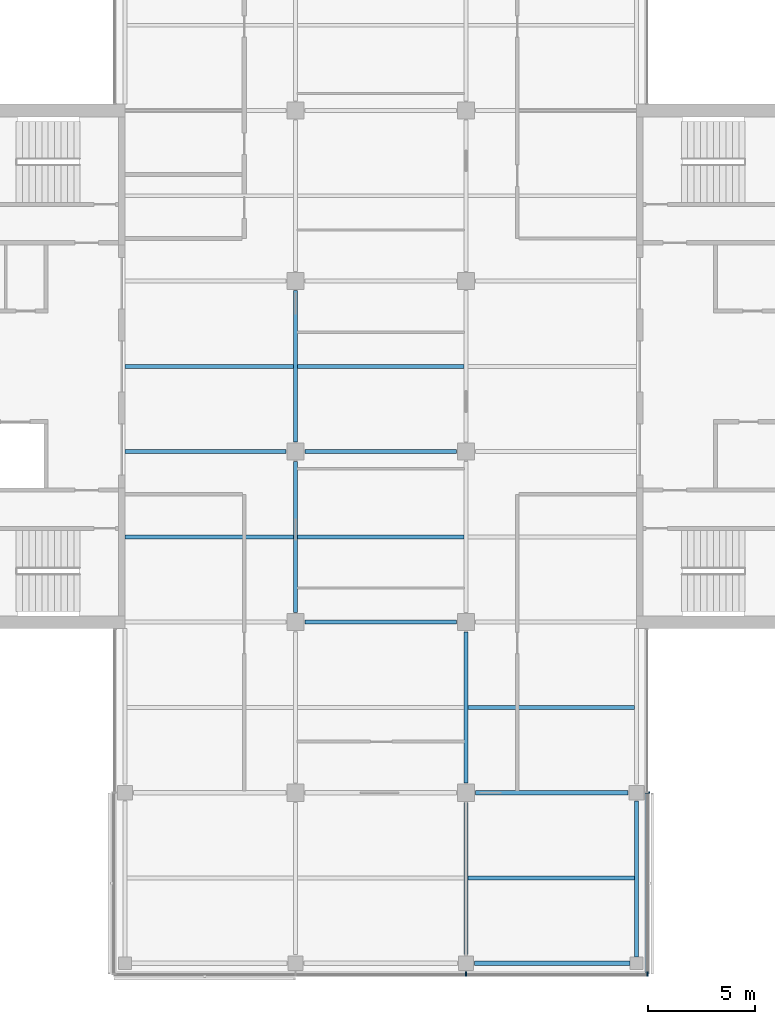
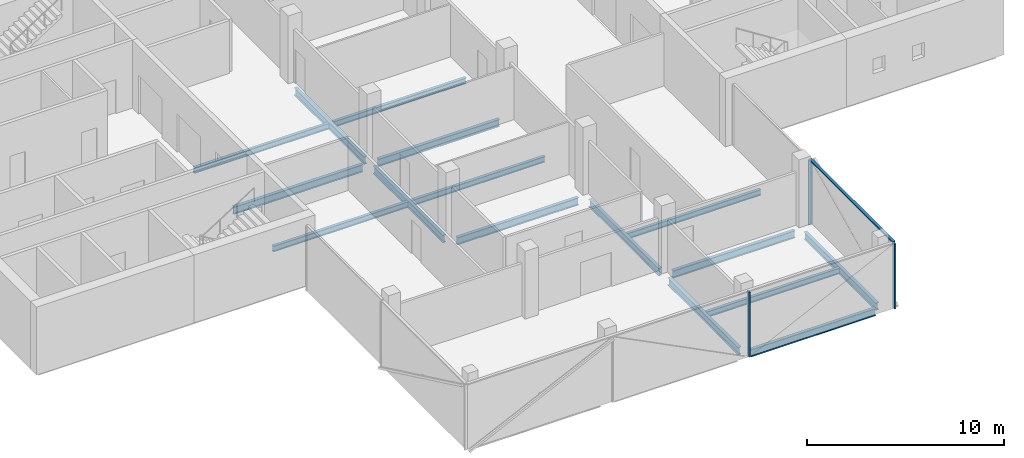
# One storey, part 3 of 15: 16 beams, 4 members, 2 elements without a shape of their own.
"""IFC4 building model written with IfcOpenShell, lengths in metres."""

from ifc_helpers import new_model, si_unit, direction, frame, origin, origin_2d, place, context, subcontext, project, spatial, rectangle, i_section, extrude, material, material_profile, profile_set, type_object, element, aggregate, save


model = new_model("IFC4")

# Units and contexts
model_context = context("Model", 3, precision=1e-05, world=origin(), true_north=direction((0.0, 1.0)))
body_context = subcontext(model_context, "Body", "Model", "MODEL_VIEW")
ifc_project = project(units=[si_unit("LENGTHUNIT", "METRE"), si_unit("AREAUNIT", "SQUARE_METRE"), si_unit("VOLUMEUNIT", "CUBIC_METRE"), si_unit("PLANEANGLEUNIT", "RADIAN"), si_unit("MASSUNIT", "GRAM", prefix="KILO")], contexts=[model_context])

# Site, building, storey
site_placement = place(None, origin())
site = spatial("IfcSite", under=ifc_project, at=site_placement, CompositionType="ELEMENT")
building_placement = place(site_placement, origin())
building = spatial("IfcBuilding", under=site, at=building_placement, Name="Crosswind Convention Tower", CompositionType="ELEMENT")
storey_placement = place(building_placement, frame((0.0, 0.0, 233.5)))
storey = spatial("IfcBuildingStorey", under=building, at=storey_placement, Name="L50", CompositionType="ELEMENT", Elevation=233.5)

# Beams
ifc_material_1 = material(Name="Steel S355", Category="steel")
ifc_material_profile_1 = material_profile(ifc_material_1, i_section(OverallWidth=0.18994140625, OverallDepth=0.45361328125, WebThickness=0.008544921875, FlangeThickness=0.0126953125, FilletRadius=0.01025390625, at=origin_2d()), Name="UB 457x191x67")
ifc_profile_set_1 = profile_set([ifc_material_profile_1], Name="Steel S355")
beam_type_1 = type_object("IfcBeamType", Name="Edge beam UB 457x191x67", PredefinedType="SPANDREL", material=ifc_profile_set_1)
for number, where, z_axis, x_axis, name in (
    (1, (129.39990234375, 72.0, -0.52685546875), (1.0, 0.0, 0.0), (0.0, 1.0, 0.0), "B16 L50 edge beam 9"),
    (2, (137.0, 72.300048828125, -0.52685546875), (0.0, 1.0, 0.0), (-1.0, 0.0, 0.0), "B16 L50 edge beam 11"),
):
    element("IfcBeam", number, at=place(storey_placement, frame(where, z_axis=z_axis, x_axis=x_axis)), inside=storey, type_object=beam_type_1, Name=name, PredefinedType="SPANDREL", context=body_context, shape_type="SweptSolid", body=[
        extrude(i_section(OverallWidth=0.18994140625, OverallDepth=0.45361328125, WebThickness=0.008544921875, FlangeThickness=0.0126953125, FilletRadius=0.01025390625, at=origin_2d()), origin(), (0.0, 0.0, 1.0), 7.300048828125),
    ])
ifc_material_profile_2 = material_profile(ifc_material_1, i_section(OverallWidth=0.1904296875, OverallDepth=0.457275390625, WebThickness=0.009033203125, FlangeThickness=0.014404296875, FilletRadius=0.01025390625, at=origin_2d()), Name="UB 457x191x75")
ifc_profile_set_2 = profile_set([ifc_material_profile_2], Name="Steel S355")
beam_type_2 = type_object("IfcBeamType", Name="Girder UB 457x191x75", PredefinedType="BEAM", material=ifc_profile_set_2)
for number, where, z_axis, x_axis, name in (
    (3, (121.0, 88.449951171875, -0.528564453125), (0.0, 1.0, 0.0), (-1.0, 0.0, 0.0), "B2 L50 girder 5"),
    (4, (121.0, 96.449951171875, -0.528564453125), (0.0, 1.0, 0.0), (-1.0, 0.0, 0.0), "B2 L50 girder 6"),
    (5, (121.449951171875, 88.0, -0.528564453125), (1.0, 0.0, 0.0), (0.0, 1.0, 0.0), "B2 L50 girder 11"),
    (6, (121.449951171875, 96.0, -0.528564453125), (1.0, 0.0, 0.0), (0.0, 1.0, 0.0), "B2 L50 girder 12"),
):
    element("IfcBeam", number, at=place(storey_placement, frame(where, z_axis=z_axis, x_axis=x_axis)), inside=storey, type_object=beam_type_2, Name=name, PredefinedType="BEAM", context=body_context, shape_type="SweptSolid", body=[
        extrude(i_section(OverallWidth=0.1904296875, OverallDepth=0.457275390625, WebThickness=0.009033203125, FlangeThickness=0.014404296875, FilletRadius=0.01025390625, at=origin_2d()), origin(), (0.0, 0.0, 1.0), 7.10009765625),
    ])
beam_1_placement = place(storey_placement, frame((129.0, 72.39990234375, -0.528564453125), z_axis=(0.0, 1.0, 0.0), x_axis=(-1.0, 0.0, 0.0)))
element("IfcBeam", 7, at=beam_1_placement, inside=storey, type_object=beam_type_2, Name="B2 L50 girder 16", PredefinedType="BEAM", context=body_context, shape_type="SweptSolid", body=[
    extrude(i_section(OverallWidth=0.1904296875, OverallDepth=0.457275390625, WebThickness=0.009033203125, FlangeThickness=0.014404296875, FilletRadius=0.01025390625, at=origin_2d()), origin(), (0.0, 0.0, 1.0), 7.150146484375),
])
beam_2_placement = place(storey_placement, frame((129.0, 80.449951171875, -0.528564453125), z_axis=(0.0, 1.0, 0.0), x_axis=(-1.0, 0.0, 0.0)))
element("IfcBeam", 8, at=beam_2_placement, inside=storey, type_object=beam_type_2, Name="B2 L50 girder 17", PredefinedType="BEAM", context=body_context, shape_type="SweptSolid", body=[
    extrude(i_section(OverallWidth=0.1904296875, OverallDepth=0.457275390625, WebThickness=0.009033203125, FlangeThickness=0.014404296875, FilletRadius=0.01025390625, at=origin_2d()), origin(), (0.0, 0.0, 1.0), 7.10009765625),
])
beam_3_placement = place(storey_placement, frame((129.449951171875, 80.0, -0.528564453125), z_axis=(1.0, 0.0, 0.0), x_axis=(0.0, 1.0, 0.0)))
element("IfcBeam", 9, at=beam_3_placement, inside=storey, type_object=beam_type_2, Name="B2 L50 girder 23", PredefinedType="BEAM", context=body_context, shape_type="SweptSolid", body=[
    extrude(i_section(OverallWidth=0.1904296875, OverallDepth=0.457275390625, WebThickness=0.009033203125, FlangeThickness=0.014404296875, FilletRadius=0.01025390625, at=origin_2d()), origin(), (0.0, 0.0, 1.0), 7.150146484375),
])
ifc_material_profile_3 = material_profile(ifc_material_1, i_section(OverallWidth=0.19140625, OverallDepth=0.460205078125, WebThickness=0.010009765625, FlangeThickness=0.01611328125, FilletRadius=0.01025390625, at=origin_2d()), Name="UB 457x191x82")
ifc_profile_set_3 = profile_set([ifc_material_profile_3], Name="Steel S355")
beam_type_3 = type_object("IfcBeamType", Name="Girder at core wall UB 457x191x82", PredefinedType="BEAM", material=ifc_profile_set_3)
beam_4_placement = place(storey_placement, frame((113.0, 96.0, -0.530029296875), z_axis=(1.0, 0.0, 0.0), x_axis=(0.0, 1.0, 0.0)))
element("IfcBeam", 10, at=beam_4_placement, inside=storey, type_object=beam_type_3, Name="B23 L50 girder at core wall 2", PredefinedType="BEAM", context=body_context, shape_type="SweptSolid", body=[
    extrude(i_section(OverallWidth=0.19140625, OverallDepth=0.460205078125, WebThickness=0.010009765625, FlangeThickness=0.01611328125, FilletRadius=0.01025390625, at=origin_2d()), origin(), (0.0, 0.0, 1.0), 7.550048828125),
])

# Curtain wall, members
ifc_material_2 = material(Name="Aluminium unitised curtain wall", Category="aluminium")
curtain_wall_type = type_object("IfcCurtainWallType", Name="OFFICE UNITISED WALL 220", PredefinedType="USERDEFINED", material=ifc_material_2)
curtain_wall_1_placement = place(storey_placement, origin())
curtain_wall_1 = element("IfcCurtainWall", 11, at=curtain_wall_1_placement, inside=storey, type_object=curtain_wall_type, Name="CW3 L50 S-TIP 1", ObjectType="UNITISED", PredefinedType="USERDEFINED")
ifc_material_3 = material(Name="Aluminium mullion", Category="aluminium")
ifc_material_profile_4 = material_profile(ifc_material_3, rectangle(XDim=0.219970703125, YDim=0.070068359375, at=origin_2d()), Name="AL 220X70")
ifc_profile_set_4 = profile_set([ifc_material_profile_4], Name="Aluminium mullion")
member_type_1 = type_object("IfcMemberType", Name="MULLION 70X220", PredefinedType="MULLION", material=ifc_profile_set_4)
member_1_placement = place(storey_placement, frame((129.0, 71.489990234375, -0.300048828125), z_axis=(0.0, 0.0, 1.0), x_axis=(0.0, -1.0, 0.0)))
member_1 = element("IfcMember", 12, at=member_1_placement, type_object=member_type_1, Name="CW3 mullion 3", PredefinedType="MULLION", context=body_context, shape_type="SweptSolid", body=[
    extrude(rectangle(XDim=0.219970703125, YDim=0.070068359375, at=origin_2d()), origin(), (0.0, 0.0, 1.0), 4.030029296875),
])
member_2_placement = place(storey_placement, frame((137.510009765625, 71.489990234375, -0.300048828125), z_axis=(0.0, 0.0, 1.0), x_axis=(0.0, -1.0, 0.0)))
member_2 = element("IfcMember", 13, at=member_2_placement, type_object=member_type_1, Name="CW3 mullion 4", PredefinedType="MULLION", context=body_context, shape_type="SweptSolid", body=[
    extrude(rectangle(XDim=0.219970703125, YDim=0.070068359375, at=origin_2d()), origin(), (0.0, 0.0, 1.0), 4.030029296875),
])
aggregate(curtain_wall_1, [member_1, member_2])

# Curtain wall, member
curtain_wall_2_placement = place(storey_placement, origin())
curtain_wall_2 = element("IfcCurtainWall", 14, at=curtain_wall_2_placement, inside=storey, type_object=curtain_wall_type, Name="CW3 L50 S-E 1", ObjectType="UNITISED", PredefinedType="USERDEFINED")
member_3_placement = place(storey_placement, frame((137.510009765625, 80.0, -0.300048828125), z_axis=(0.0, 0.0, 1.0), x_axis=(1.0, 0.0, 0.0)))
member_3 = element("IfcMember", 15, at=member_3_placement, type_object=member_type_1, Name="CW3 mullion 2", PredefinedType="MULLION", context=body_context, shape_type="SweptSolid", body=[
    extrude(rectangle(XDim=0.219970703125, YDim=0.070068359375, at=origin_2d()), origin(), (0.0, 0.0, 1.0), 4.030029296875),
])

# Beams
ifc_material_profile_5 = material_profile(ifc_material_1, i_section(OverallWidth=0.172119140625, OverallDepth=0.358642578125, WebThickness=0.008056640625, FlangeThickness=0.012939453125, FilletRadius=0.01025390625, at=origin_2d()), Name="UB 356x171x57")
ifc_profile_set_5 = profile_set([ifc_material_profile_5], Name="Steel S355")
beam_type_4 = type_object("IfcBeamType", Name="Secondary beam UB 356x171x57", PredefinedType="JOIST", material=ifc_profile_set_5)
for number, where, z_axis, x_axis, name in (
    (16, (113.0, 92.0, -0.479248046875), (1.0, 0.0, 0.0), (0.0, 1.0, 0.0), "B9 L50 secondary beam 1"),
    (17, (113.0, 100.0, -0.479248046875), (1.0, 0.0, 0.0), (0.0, 1.0, 0.0), "B9 L50 secondary beam 2"),
):
    element("IfcBeam", number, at=place(storey_placement, frame(where, z_axis=z_axis, x_axis=x_axis)), inside=storey, type_object=beam_type_4, Name=name, PredefinedType="JOIST", context=body_context, shape_type="SweptSolid", body=[
        extrude(i_section(OverallWidth=0.172119140625, OverallDepth=0.358642578125, WebThickness=0.008056640625, FlangeThickness=0.012939453125, FilletRadius=0.01025390625, at=origin_2d()), origin(), (0.0, 0.0, 1.0), 7.90478515625),
    ])
for number, where, z_axis, x_axis, name in (
    (18, (121.09521484375, 92.0, -0.479248046875), (1.0, 0.0, 0.0), (0.0, 1.0, 0.0), "B9 L50 secondary beam 10"),
    (19, (121.09521484375, 100.0, -0.479248046875), (1.0, 0.0, 0.0), (0.0, 1.0, 0.0), "B9 L50 secondary beam 11"),
):
    element("IfcBeam", number, at=place(storey_placement, frame(where, z_axis=z_axis, x_axis=x_axis)), inside=storey, type_object=beam_type_4, Name=name, PredefinedType="JOIST", context=body_context, shape_type="SweptSolid", body=[
        extrude(i_section(OverallWidth=0.172119140625, OverallDepth=0.358642578125, WebThickness=0.008056640625, FlangeThickness=0.012939453125, FilletRadius=0.01025390625, at=origin_2d()), origin(), (0.0, 0.0, 1.0), 7.8095703125),
    ])
for number, where, z_axis, x_axis, name in (
    (20, (129.09521484375, 76.0, -0.479248046875), (1.0, 0.0, 0.0), (0.0, 1.0, 0.0), "B9 L50 secondary beam 15"),
    (21, (129.09521484375, 84.0, -0.479248046875), (1.0, 0.0, 0.0), (0.0, 1.0, 0.0), "B9 L50 secondary beam 16"),
):
    element("IfcBeam", number, at=place(storey_placement, frame(where, z_axis=z_axis, x_axis=x_axis)), inside=storey, type_object=beam_type_4, Name=name, PredefinedType="JOIST", context=body_context, shape_type="SweptSolid", body=[
        extrude(i_section(OverallWidth=0.172119140625, OverallDepth=0.358642578125, WebThickness=0.008056640625, FlangeThickness=0.012939453125, FilletRadius=0.01025390625, at=origin_2d()), origin(), (0.0, 0.0, 1.0), 7.809814453125),
    ])

# Member
ifc_material_4 = material(Name="Aluminium transom", Category="aluminium")
ifc_material_profile_6 = material_profile(ifc_material_4, rectangle(XDim=0.159912109375, YDim=0.070068359375, at=origin_2d()), Name="AL 160X70")
ifc_profile_set_6 = profile_set([ifc_material_profile_6], Name="Aluminium transom")
member_type_2 = type_object("IfcMemberType", Name="TRANSOM 70X160", PredefinedType="USERDEFINED", material=ifc_profile_set_6)
member_4_placement = place(storey_placement, frame((137.510009765625, 71.52490234375, 3.764892578125), z_axis=(0.0, 1.0, 0.0), x_axis=(-1.0, 0.0, 0.0)))
member_4 = element("IfcMember", 22, at=member_4_placement, type_object=member_type_2, Name="CW3 transom", ObjectType="TRANSOM", PredefinedType="USERDEFINED", context=body_context, shape_type="SweptSolid", body=[
    extrude(rectangle(XDim=0.159912109375, YDim=0.070068359375, at=origin_2d()), origin(), (0.0, 0.0, 1.0), 8.440185546875),
])

aggregate(curtain_wall_2, [member_3, member_4])

save(model, "model.ifc")
